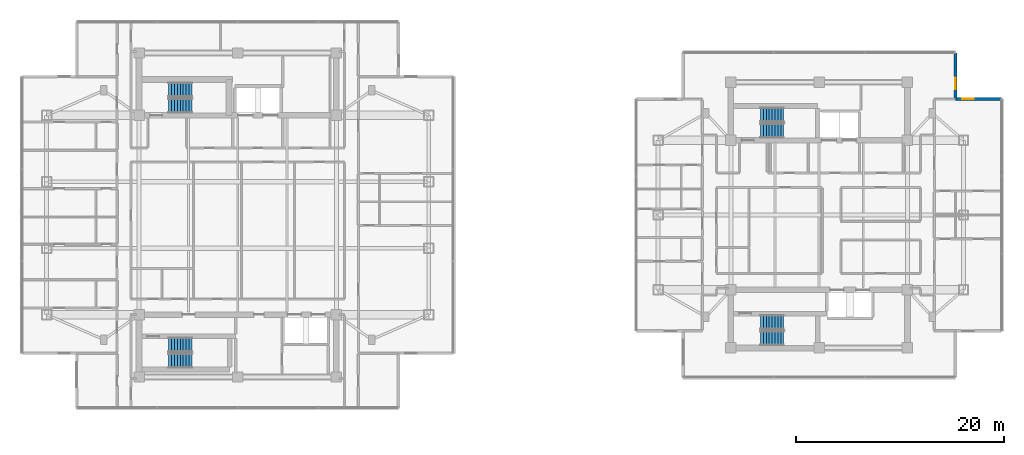
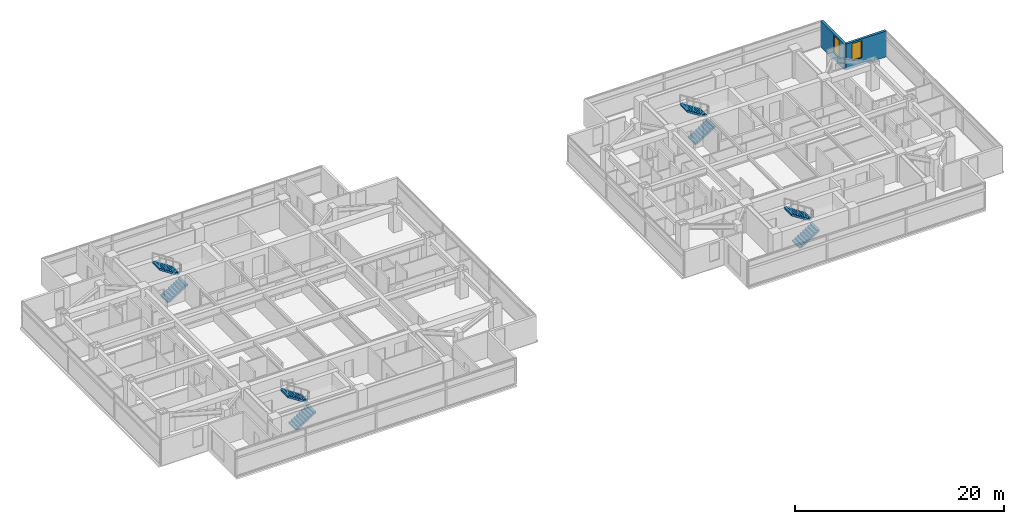
# One storey, part 18 of 24: 8 stair flights, 2 walls, 2 windows, 2 openings, 4 elements without a shape of their own.
"""IFC4 building model written with IfcOpenShell, lengths in metres."""

from ifc_helpers import new_model, si_unit, direction, frame, frame_2d, origin, place, context, subcontext, project, spatial, polyline, rectangle, outline, extrude, material, layer, layer_set, type_object, element, fill, aggregate, save


model = new_model("IFC4")

# Units and contexts
model_context = context("Model", 3, precision=1e-05, world=origin(), true_north=direction((0.0, 1.0)))
body_context = subcontext(model_context, "Body", "Model", "MODEL_VIEW")
ifc_project = project(units=[si_unit("LENGTHUNIT", "METRE"), si_unit("AREAUNIT", "SQUARE_METRE"), si_unit("VOLUMEUNIT", "CUBIC_METRE"), si_unit("PLANEANGLEUNIT", "RADIAN"), si_unit("MASSUNIT", "GRAM", prefix="KILO")], contexts=[model_context])

# Site, building, storey
site_placement = place(None, origin())
site = spatial("IfcSite", under=ifc_project, at=site_placement, CompositionType="ELEMENT")
building_placement = place(site_placement, origin())
building = spatial("IfcBuilding", under=site, at=building_placement, Name="Mirazonda Arch Towers", CompositionType="ELEMENT")
storey_placement = place(building_placement, frame((0.0, 0.0, 167.39990234375)))
storey = spatial("IfcBuildingStorey", under=building, at=storey_placement, Name="L47", CompositionType="ELEMENT", Elevation=167.39990234375)

# Wall, opening, window
ifc_material_1 = material(Name="Precast Concrete C40/50", Category="concrete")
ifc_layer = layer(ifc_material_1, 0.280029296875, Name="WALL-EXT-WALL-280")
ifc_layer_set = layer_set([ifc_layer], Name="Precast Concrete C40/50")
wall_type = type_object("IfcWallType", Name="WALL-EXT-WALL-280", PredefinedType="SOLIDWALL", material=ifc_layer_set)
wall_1_placement = place(storey_placement, frame((89.619384765625, 39.159423828125, 0.0), z_axis=(0.0, 0.0, 1.0), x_axis=(0.0, 1.0, 0.0)))
wall_1 = element("IfcWall", 1, at=wall_1_placement, inside=storey, type_object=wall_type, Name="L47 T2 Notched NE Corner Wall WL-L47-T2-CNE", PredefinedType="SOLIDWALL", context=body_context, shape_type="SweptSolid", body=[
    extrude(rectangle(XDim=4.46533203125, YDim=0.280029296875, at=frame_2d((2.232666015625, 0.0))), origin(), (0.0, 0.0, 1.0), 3.030029296875),
])
opening_1_placement = place(wall_1_placement, frame((0.949951171875, 0.0, 0.85009765625)))
opening_1 = element("IfcOpeningElement", 2, at=opening_1_placement, cuts=wall_1, Name="Opening WN-108", PredefinedType="OPENING", context=body_context, shape_type="SweptSolid", body=[
    extrude(rectangle(XDim=1.10009765625, YDim=2.0, at=frame_2d((0.550048828125, 1.0))), frame((0.0, 0.14990234375, 0.0), z_axis=(0.0, -1.0, 0.0), x_axis=(1.0, 0.0, 0.0)), (0.0, 0.0, 1.0), 0.300048828125),
])
ifc_material_2 = material(Name="Insulated Low-E Solar Glass", Category="glass")
window_type = type_object("IfcWindowType", Name="WIN-NOTCH-1100x2000", PartitioningType="SINGLE_PANEL", PredefinedType="WINDOW", material=ifc_material_2)
window_1_placement = place(opening_1_placement, origin())
window_1 = element("IfcWindow", 3, at=window_1_placement, inside=storey, type_object=window_type, Name="L47 Punched Facade Window WN-L47-T2-CNE", OverallHeight=2.0, OverallWidth=1.10009765625, PartitioningType="SINGLE_PANEL", PredefinedType="WINDOW", context=body_context, shape_type="SweptSolid", body=[
    extrude(rectangle(XDim=1.10009765625, YDim=2.0, at=frame_2d((0.550048828125, 1.0))), frame((0.0, 0.030029296875, 0.0), z_axis=(0.0, -1.0, 0.0), x_axis=(1.0, 0.0, 0.0)), (0.0, 0.0, 1.0), 0.06005859375),
])
fill(opening_1, window_1)

wall_2_placement = place(storey_placement, frame((94.08447265625, 39.159423828125, 0.0), z_axis=(0.0, 0.0, 1.0), x_axis=(-1.0, 0.0, 0.0)))
wall_2 = element("IfcWall", 4, at=wall_2_placement, inside=storey, type_object=wall_type, Name="L47 T2 Corner Notch Return Wall WL-L47-T2-CNE2", PredefinedType="SOLIDWALL", context=body_context, shape_type="SweptSolid", body=[
    extrude(rectangle(XDim=4.465087890625, YDim=0.280029296875, at=frame_2d((2.232421875, 0.0))), origin(), (0.0, 0.0, 1.0), 3.030029296875),
])
opening_2_placement = place(wall_2_placement, frame((2.715087890625, 0.0, 0.85009765625)))
opening_2 = element("IfcOpeningElement", 5, at=opening_2_placement, cuts=wall_2, Name="Opening WN-108", PredefinedType="OPENING", context=body_context, shape_type="SweptSolid", body=[
    extrude(rectangle(XDim=1.10009765625, YDim=2.0, at=frame_2d((0.550048828125, 1.0))), frame((0.0, 0.14990234375, 0.0), z_axis=(0.0, -1.0, 0.0), x_axis=(1.0, 0.0, 0.0)), (0.0, 0.0, 1.0), 0.300048828125),
])
window_2_placement = place(opening_2_placement, origin())
window_2 = element("IfcWindow", 6, at=window_2_placement, inside=storey, type_object=window_type, Name="L47 Punched Facade Window WN-L47-T2-CNE2", OverallHeight=2.0, OverallWidth=1.10009765625, PartitioningType="SINGLE_PANEL", PredefinedType="WINDOW", context=body_context, shape_type="SweptSolid", body=[
    extrude(rectangle(XDim=1.10009765625, YDim=2.0, at=frame_2d((0.550048828125, 1.0))), frame((0.0, 0.030029296875, 0.0), z_axis=(0.0, -1.0, 0.0), x_axis=(1.0, 0.0, 0.0)), (0.0, 0.0, 1.0), 0.06005859375),
])
fill(opening_2, window_2)

# Stair, stair flights
ifc_material_3 = material(Name="Concrete C40/50", Category="concrete")
stair_type = type_object("IfcStairType", Name="STAIR-CORE-1400", PredefinedType="HALF_TURN_STAIR", material=ifc_material_3)
stair_1_placement = place(storey_placement, origin())
stair_1 = element("IfcStair", 7, at=stair_1_placement, inside=storey, type_object=stair_type, Name="L47 Protected Exit Stair ST-T1N", PredefinedType="HALF_TURN_STAIR")
stair_flight_type = type_object("IfcStairFlightType", Name="FLIGHT-1400", PredefinedType="STRAIGHT", material=ifc_material_3)
stair_flight_1_placement = place(storey_placement, frame((13.85009765625, 38.52001953125, 0.0), z_axis=(0.0, 0.0, 1.0), x_axis=(1.0, 0.0, 0.0)))
stair_flight_1 = element("IfcStairFlight", 8, at=stair_flight_1_placement, type_object=stair_flight_type, Name="ST-T1N flight 1", NumberOfRisers=9, NumberOfTreads=8, PredefinedType="STRAIGHT", RiserHeight=0.180555556, TreadLength=0.28, context=body_context, shape_type="SweptSolid", body=[
    extrude(outline(polyline([(0.0, 0.0), (0.0, 0.1806640625), (0.280029296875, 0.1806640625), (0.280029296875, 0.361083984375), (0.56005859375, 0.361083984375), (0.56005859375, 0.541748046875), (0.840087890625, 0.541748046875), (0.840087890625, 0.72216796875), (1.1201171875, 0.72216796875), (1.1201171875, 0.90283203125), (1.39990234375, 0.90283203125), (1.39990234375, 1.083251953125), (1.679931640625, 1.083251953125), (1.679931640625, 1.263916015625), (1.9599609375, 1.263916015625), (1.9599609375, 1.4443359375), (2.239990234375, 1.4443359375), (2.239990234375, 1.625), (2.239990234375, 1.254150390625), (0.295166015625, 0.0), (0.0, 0.0)])), frame((0.0, 0.699951171875, 0.0), z_axis=(0.0, -1.0, 0.0), x_axis=(1.0, 0.0, 0.0)), (0.0, 0.0, 1.0), 1.39990234375),
])
stair_flight_2_placement = place(storey_placement, frame((16.090087890625, 40.06005859375, 1.625), z_axis=(0.0, 0.0, 1.0), x_axis=(-1.0, 0.0, 0.0)))
stair_flight_2 = element("IfcStairFlight", 9, at=stair_flight_2_placement, type_object=stair_flight_type, Name="ST-T1N flight 2", NumberOfRisers=9, NumberOfTreads=8, PredefinedType="STRAIGHT", RiserHeight=0.180555556, TreadLength=0.28, context=body_context, shape_type="SweptSolid", body=[
    extrude(outline(polyline([(0.0, 0.0), (0.0, 0.1806640625), (0.280029296875, 0.1806640625), (0.280029296875, 0.361083984375), (0.56005859375, 0.361083984375), (0.56005859375, 0.541748046875), (0.840087890625, 0.541748046875), (0.840087890625, 0.72216796875), (1.1201171875, 0.72216796875), (1.1201171875, 0.90283203125), (1.39990234375, 0.90283203125), (1.39990234375, 1.083251953125), (1.679931640625, 1.083251953125), (1.679931640625, 1.263916015625), (1.9599609375, 1.263916015625), (1.9599609375, 1.4443359375), (2.239990234375, 1.4443359375), (2.239990234375, 1.625), (2.239990234375, 1.254150390625), (0.295166015625, 0.0), (0.0, 0.0)])), frame((0.0, 0.699951171875, 0.0), z_axis=(0.0, -1.0, 0.0), x_axis=(1.0, 0.0, 0.0)), (0.0, 0.0, 1.0), 1.39990234375),
])
aggregate(stair_1, [stair_flight_1, stair_flight_2])

stair_2_placement = place(storey_placement, origin())
stair_2 = element("IfcStair", 10, at=stair_2_placement, inside=storey, type_object=stair_type, Name="L47 Protected Exit Stair ST-T1S", PredefinedType="HALF_TURN_STAIR")
stair_flight_3_placement = place(storey_placement, frame((13.85009765625, 13.949951171875, 0.0), z_axis=(0.0, 0.0, 1.0), x_axis=(1.0, 0.0, 0.0)))
stair_flight_3 = element("IfcStairFlight", 11, at=stair_flight_3_placement, type_object=stair_flight_type, Name="ST-T1S flight 1", NumberOfRisers=9, NumberOfTreads=8, PredefinedType="STRAIGHT", RiserHeight=0.180555556, TreadLength=0.28, context=body_context, shape_type="SweptSolid", body=[
    extrude(outline(polyline([(0.0, 0.0), (0.0, 0.1806640625), (0.280029296875, 0.1806640625), (0.280029296875, 0.361083984375), (0.56005859375, 0.361083984375), (0.56005859375, 0.541748046875), (0.840087890625, 0.541748046875), (0.840087890625, 0.72216796875), (1.1201171875, 0.72216796875), (1.1201171875, 0.90283203125), (1.39990234375, 0.90283203125), (1.39990234375, 1.083251953125), (1.679931640625, 1.083251953125), (1.679931640625, 1.263916015625), (1.9599609375, 1.263916015625), (1.9599609375, 1.4443359375), (2.239990234375, 1.4443359375), (2.239990234375, 1.625), (2.239990234375, 1.254150390625), (0.295166015625, 0.0), (0.0, 0.0)])), frame((0.0, 0.699951171875, 0.0), z_axis=(0.0, -1.0, 0.0), x_axis=(1.0, 0.0, 0.0)), (0.0, 0.0, 1.0), 1.39990234375),
])
stair_flight_4_placement = place(storey_placement, frame((16.090087890625, 15.489990234375, 1.625), z_axis=(0.0, 0.0, 1.0), x_axis=(-1.0, 0.0, 0.0)))
stair_flight_4 = element("IfcStairFlight", 12, at=stair_flight_4_placement, type_object=stair_flight_type, Name="ST-T1S flight 2", NumberOfRisers=9, NumberOfTreads=8, PredefinedType="STRAIGHT", RiserHeight=0.180555556, TreadLength=0.28, context=body_context, shape_type="SweptSolid", body=[
    extrude(outline(polyline([(0.0, 0.0), (0.0, 0.1806640625), (0.280029296875, 0.1806640625), (0.280029296875, 0.361083984375), (0.56005859375, 0.361083984375), (0.56005859375, 0.541748046875), (0.840087890625, 0.541748046875), (0.840087890625, 0.72216796875), (1.1201171875, 0.72216796875), (1.1201171875, 0.90283203125), (1.39990234375, 0.90283203125), (1.39990234375, 1.083251953125), (1.679931640625, 1.083251953125), (1.679931640625, 1.263916015625), (1.9599609375, 1.263916015625), (1.9599609375, 1.4443359375), (2.239990234375, 1.4443359375), (2.239990234375, 1.625), (2.239990234375, 1.254150390625), (0.295166015625, 0.0), (0.0, 0.0)])), frame((0.0, 0.699951171875, 0.0), z_axis=(0.0, -1.0, 0.0), x_axis=(1.0, 0.0, 0.0)), (0.0, 0.0, 1.0), 1.39990234375),
])
aggregate(stair_2, [stair_flight_3, stair_flight_4])

stair_3_placement = place(storey_placement, origin())
stair_3 = element("IfcStair", 13, at=stair_3_placement, inside=storey, type_object=stair_type, Name="L47 Protected Exit Stair ST-T2N", PredefinedType="HALF_TURN_STAIR")
stair_flight_5_placement = place(storey_placement, frame((70.85009765625, 36.1201171875, 0.0), z_axis=(0.0, 0.0, 1.0), x_axis=(1.0, 0.0, 0.0)))
stair_flight_5 = element("IfcStairFlight", 14, at=stair_flight_5_placement, type_object=stair_flight_type, Name="ST-T2N flight 1", NumberOfRisers=9, NumberOfTreads=8, PredefinedType="STRAIGHT", RiserHeight=0.180555556, TreadLength=0.28, context=body_context, shape_type="SweptSolid", body=[
    extrude(outline(polyline([(0.0, 0.0), (0.0, 0.1806640625), (0.280029296875, 0.1806640625), (0.280029296875, 0.361083984375), (0.56005859375, 0.361083984375), (0.56005859375, 0.541748046875), (0.840087890625, 0.541748046875), (0.840087890625, 0.72216796875), (1.1201171875, 0.72216796875), (1.1201171875, 0.90283203125), (1.39990234375, 0.90283203125), (1.39990234375, 1.083251953125), (1.679931640625, 1.083251953125), (1.679931640625, 1.263916015625), (1.9599609375, 1.263916015625), (1.9599609375, 1.4443359375), (2.239990234375, 1.4443359375), (2.239990234375, 1.625), (2.239990234375, 1.254150390625), (0.295166015625, 0.0), (0.0, 0.0)])), frame((0.0, 0.699951171875, 0.0), z_axis=(0.0, -1.0, 0.0), x_axis=(1.0, 0.0, 0.0)), (0.0, 0.0, 1.0), 1.39990234375),
])
stair_flight_6_placement = place(storey_placement, frame((73.090087890625, 37.659912109375, 1.625), z_axis=(0.0, 0.0, 1.0), x_axis=(-1.0, 0.0, 0.0)))
stair_flight_6 = element("IfcStairFlight", 15, at=stair_flight_6_placement, type_object=stair_flight_type, Name="ST-T2N flight 2", NumberOfRisers=9, NumberOfTreads=8, PredefinedType="STRAIGHT", RiserHeight=0.180555556, TreadLength=0.28, context=body_context, shape_type="SweptSolid", body=[
    extrude(outline(polyline([(0.0, 0.0), (0.0, 0.1806640625), (0.280029296875, 0.1806640625), (0.280029296875, 0.361083984375), (0.56005859375, 0.361083984375), (0.56005859375, 0.541748046875), (0.840087890625, 0.541748046875), (0.840087890625, 0.72216796875), (1.1201171875, 0.72216796875), (1.1201171875, 0.90283203125), (1.39990234375, 0.90283203125), (1.39990234375, 1.083251953125), (1.679931640625, 1.083251953125), (1.679931640625, 1.263916015625), (1.9599609375, 1.263916015625), (1.9599609375, 1.4443359375), (2.239990234375, 1.4443359375), (2.239990234375, 1.625), (2.239990234375, 1.254150390625), (0.295166015625, 0.0), (0.0, 0.0)])), frame((0.0, 0.699951171875, 0.0), z_axis=(0.0, -1.0, 0.0), x_axis=(1.0, 0.0, 0.0)), (0.0, 0.0, 1.0), 1.39990234375),
])
aggregate(stair_3, [stair_flight_5, stair_flight_6])

stair_4_placement = place(storey_placement, origin())
stair_4 = element("IfcStair", 16, at=stair_4_placement, inside=storey, type_object=stair_type, Name="L47 Protected Exit Stair ST-T2S", PredefinedType="HALF_TURN_STAIR")
stair_flight_7_placement = place(storey_placement, frame((70.85009765625, 16.1201171875, 0.0), z_axis=(0.0, 0.0, 1.0), x_axis=(1.0, 0.0, 0.0)))
stair_flight_7 = element("IfcStairFlight", 17, at=stair_flight_7_placement, type_object=stair_flight_type, Name="ST-T2S flight 1", NumberOfRisers=9, NumberOfTreads=8, PredefinedType="STRAIGHT", RiserHeight=0.180555556, TreadLength=0.28, context=body_context, shape_type="SweptSolid", body=[
    extrude(outline(polyline([(0.0, 0.0), (0.0, 0.1806640625), (0.280029296875, 0.1806640625), (0.280029296875, 0.361083984375), (0.56005859375, 0.361083984375), (0.56005859375, 0.541748046875), (0.840087890625, 0.541748046875), (0.840087890625, 0.72216796875), (1.1201171875, 0.72216796875), (1.1201171875, 0.90283203125), (1.39990234375, 0.90283203125), (1.39990234375, 1.083251953125), (1.679931640625, 1.083251953125), (1.679931640625, 1.263916015625), (1.9599609375, 1.263916015625), (1.9599609375, 1.4443359375), (2.239990234375, 1.4443359375), (2.239990234375, 1.625), (2.239990234375, 1.254150390625), (0.295166015625, 0.0), (0.0, 0.0)])), frame((0.0, 0.699951171875, 0.0), z_axis=(0.0, -1.0, 0.0), x_axis=(1.0, 0.0, 0.0)), (0.0, 0.0, 1.0), 1.39990234375),
])
stair_flight_8_placement = place(storey_placement, frame((73.090087890625, 17.659912109375, 1.625), z_axis=(0.0, 0.0, 1.0), x_axis=(-1.0, 0.0, 0.0)))
stair_flight_8 = element("IfcStairFlight", 18, at=stair_flight_8_placement, type_object=stair_flight_type, Name="ST-T2S flight 2", NumberOfRisers=9, NumberOfTreads=8, PredefinedType="STRAIGHT", RiserHeight=0.180555556, TreadLength=0.28, context=body_context, shape_type="SweptSolid", body=[
    extrude(outline(polyline([(0.0, 0.0), (0.0, 0.1806640625), (0.280029296875, 0.1806640625), (0.280029296875, 0.361083984375), (0.56005859375, 0.361083984375), (0.56005859375, 0.541748046875), (0.840087890625, 0.541748046875), (0.840087890625, 0.72216796875), (1.1201171875, 0.72216796875), (1.1201171875, 0.90283203125), (1.39990234375, 0.90283203125), (1.39990234375, 1.083251953125), (1.679931640625, 1.083251953125), (1.679931640625, 1.263916015625), (1.9599609375, 1.263916015625), (1.9599609375, 1.4443359375), (2.239990234375, 1.4443359375), (2.239990234375, 1.625), (2.239990234375, 1.254150390625), (0.295166015625, 0.0), (0.0, 0.0)])), frame((0.0, 0.699951171875, 0.0), z_axis=(0.0, -1.0, 0.0), x_axis=(1.0, 0.0, 0.0)), (0.0, 0.0, 1.0), 1.39990234375),
])
aggregate(stair_4, [stair_flight_7, stair_flight_8])

save(model, "model.ifc")
